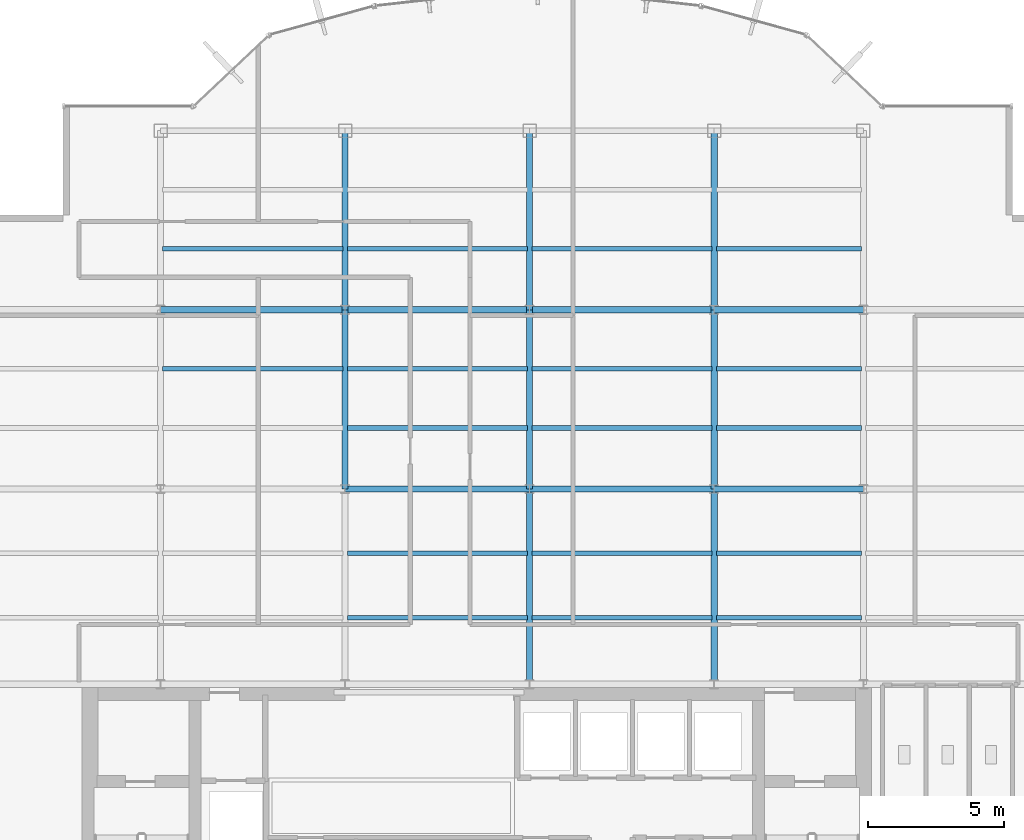
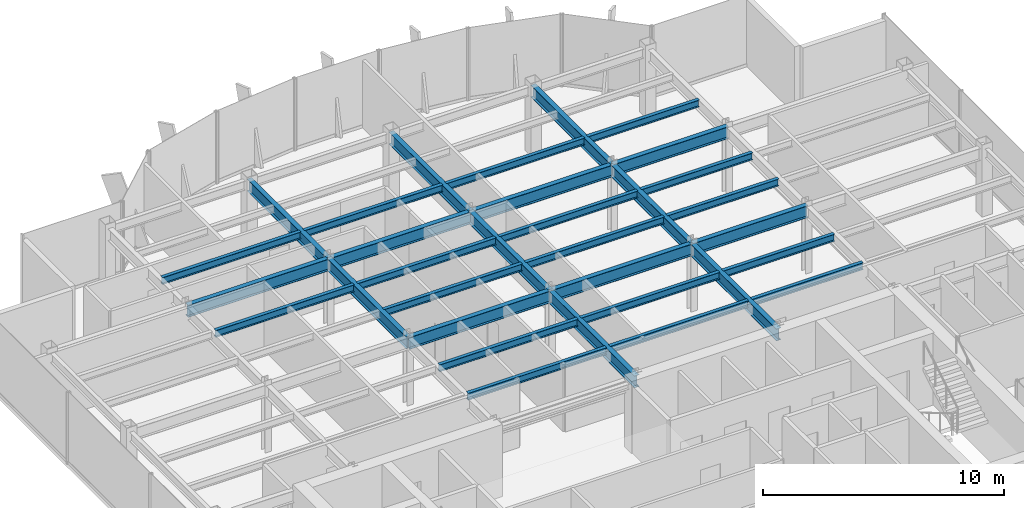
# One storey, part 8 of 22: 32 beams.
"""IFC4 building model written with IfcOpenShell, lengths in metres."""

from ifc_helpers import new_model, si_unit, derived_unit, direction, frame, origin, origin_2d, place, context, subcontext, project, spatial, i_section, extrude, source, transform, mapped, material, material_profile, profile_set, type_object, element, save


model = new_model("IFC4")

# Units and contexts
model_context = context("Model", 3, precision=1e-05, world=origin(), true_north=direction((0.0, 1.0)))
body_context = subcontext(model_context, "Body", "Model", "MODEL_VIEW")
ifc_project = project(units=[si_unit("LENGTHUNIT", "METRE"), si_unit("AREAUNIT", "SQUARE_METRE"), si_unit("VOLUMEUNIT", "CUBIC_METRE"), si_unit("PLANEANGLEUNIT", "RADIAN"), si_unit("MASSUNIT", "GRAM", prefix="KILO"), derived_unit("THERMALTRANSMITTANCEUNIT", [(si_unit("POWERUNIT", "WATT"), 1), (si_unit("LENGTHUNIT", "METRE"), -2), (si_unit("THERMODYNAMICTEMPERATUREUNIT", "KELVIN"), -1)])], contexts=[model_context])

# Site, building, storey
site_placement = place(None, origin())
site = spatial("IfcSite", under=ifc_project, at=site_placement, CompositionType="ELEMENT")
building_placement = place(site_placement, origin())
building = spatial("IfcBuilding", under=site, at=building_placement, Name="Skarnbrae Concourse Arena and Tower", CompositionType="ELEMENT")
storey_placement = place(building_placement, frame((0.0, 0.0, 192.25)))
storey = spatial("IfcBuildingStorey", under=building, at=storey_placement, Name="L49", CompositionType="ELEMENT", Elevation=192.25)

# Beams
ifc_material = material(Name="Steel CSA G40.21 350W", Category="steel")
ifc_material_profile_1 = material_profile(ifc_material, i_section(OverallWidth=0.22802734375, OverallDepth=0.60791015625, WebThickness=0.01123046875, FlangeThickness=0.017333984375, at=origin_2d()), Name="W610X113")
ifc_profile_set_1 = profile_set([ifc_material_profile_1], Name="Steel CSA G40.21 350W")
beam_type_1 = type_object("IfcBeamType", Name="BM-GIRD-W610X113", PredefinedType="BEAM", material=ifc_profile_set_1)
shared_shape_1 = source(origin(), body_context, "Body", "SweptSolid", [
    extrude(i_section(OverallWidth=0.22802734375, OverallDepth=0.60791015625, WebThickness=0.01123046875, FlangeThickness=0.017333984375, at=origin_2d()), origin(), (0.0, 0.0, 1.0), 6.60009765625),
])
for number, where, z_axis, x_axis, name in (
    (1, (14.39990234375, 21.199951171875, 3.095947265625), (0.0, 1.0, 0.0), (-1.0, 0.0, 0.0), "L49 Primary N-S girder X14.4-2"),
    (2, (21.199951171875, 21.199951171875, 3.095947265625), (0.0, 1.0, 0.0), (-1.0, 0.0, 0.0), "L49 Primary N-S girder X21.2-2"),
    (3, (28.0, 21.199951171875, 3.095947265625), (0.0, 1.0, 0.0), (-1.0, 0.0, 0.0), "L49 Primary N-S girder X28.0-2"),
):
    element("IfcBeam", number, at=place(storey_placement, frame(where, z_axis=z_axis, x_axis=x_axis)), inside=storey, type_object=beam_type_1, Name=name, PredefinedType="BEAM", context=body_context, shape_type="MappedRepresentation", body=[
        mapped(shared_shape_1, transform((0.0, 0.0, 0.0))),
    ])
shared_shape_2 = source(origin(), body_context, "Body", "SweptSolid", [
    extrude(i_section(OverallWidth=0.22802734375, OverallDepth=0.60791015625, WebThickness=0.01123046875, FlangeThickness=0.017333984375, at=origin_2d()), origin(), (0.0, 0.0, 1.0), 6.7998046875),
])
beam_placement = place(storey_placement, frame((7.60009765625, 27.800048828125, 3.095947265625), z_axis=(1.0, 0.0, 0.0), x_axis=(0.0, 1.0, 0.0)))
element("IfcBeam", 4, at=beam_placement, inside=storey, type_object=beam_type_1, Name="L49 Primary E-W girder Y27.8-2", PredefinedType="BEAM", context=body_context, shape_type="MappedRepresentation", body=[
    mapped(shared_shape_2, transform((0.0, 0.0, 0.0))),
])
shared_shape_3 = source(origin(), body_context, "Body", "SweptSolid", [
    extrude(i_section(OverallWidth=0.22802734375, OverallDepth=0.60791015625, WebThickness=0.01123046875, FlangeThickness=0.017333984375, at=origin_2d()), origin(), (0.0, 0.0, 1.0), 6.800048828125),
])
for number, where, z_axis, x_axis, name in (
    (5, (14.39990234375, 21.199951171875, 3.095947265625), (1.0, 0.0, 0.0), (0.0, 1.0, 0.0), "L49 Primary E-W girder Y21.2-3"),
    (6, (21.199951171875, 21.199951171875, 3.095947265625), (1.0, 0.0, 0.0), (0.0, 1.0, 0.0), "L49 Primary E-W girder Y21.2-4"),
    (7, (14.39990234375, 27.800048828125, 3.095947265625), (1.0, 0.0, 0.0), (0.0, 1.0, 0.0), "L49 Primary E-W girder Y27.8-3"),
    (8, (21.199951171875, 27.800048828125, 3.095947265625), (1.0, 0.0, 0.0), (0.0, 1.0, 0.0), "L49 Primary E-W girder Y27.8-4"),
):
    element("IfcBeam", number, at=place(storey_placement, frame(where, z_axis=z_axis, x_axis=x_axis)), inside=storey, type_object=beam_type_1, Name=name, PredefinedType="BEAM", context=body_context, shape_type="MappedRepresentation", body=[
        mapped(shared_shape_3, transform((0.0, 0.0, 0.0))),
    ])
shared_shape_4 = source(origin(), body_context, "Body", "SweptSolid", [
    extrude(i_section(OverallWidth=0.22802734375, OverallDepth=0.60791015625, WebThickness=0.01123046875, FlangeThickness=0.017333984375, at=origin_2d()), origin(), (0.0, 0.0, 1.0), 5.5),
])
for number, where, z_axis, x_axis, name in (
    (9, (28.0, 21.199951171875, 3.095947265625), (1.0, 0.0, 0.0), (0.0, 1.0, 0.0), "L49 Primary E-W girder Y21.2-5"),
    (10, (28.0, 27.800048828125, 3.095947265625), (1.0, 0.0, 0.0), (0.0, 1.0, 0.0), "L49 Primary E-W girder Y27.8-5"),
):
    element("IfcBeam", number, at=place(storey_placement, frame(where, z_axis=z_axis, x_axis=x_axis)), inside=storey, type_object=beam_type_1, Name=name, PredefinedType="BEAM", context=body_context, shape_type="MappedRepresentation", body=[
        mapped(shared_shape_4, transform((0.0, 0.0, 0.0))),
    ])
shared_shape_5 = source(origin(), body_context, "Body", "SweptSolid", [
    extrude(i_section(OverallWidth=0.22802734375, OverallDepth=0.60791015625, WebThickness=0.01123046875, FlangeThickness=0.017333984375, at=origin_2d()), origin(), (0.0, 0.0, 1.0), 7.199951171875),
])
for number, where, z_axis, x_axis, name in (
    (11, (21.199951171875, 14.0, 3.095947265625), (0.0, 1.0, 0.0), (-1.0, 0.0, 0.0), "L49 Primary N-S girder X21.2-1"),
    (12, (28.0, 14.0, 3.095947265625), (0.0, 1.0, 0.0), (-1.0, 0.0, 0.0), "L49 Primary N-S girder X28.0-1"),
):
    element("IfcBeam", number, at=place(storey_placement, frame(where, z_axis=z_axis, x_axis=x_axis)), inside=storey, type_object=beam_type_1, Name=name, PredefinedType="BEAM", context=body_context, shape_type="MappedRepresentation", body=[
        mapped(shared_shape_5, transform((0.0, 0.0, 0.0))),
    ])
shared_shape_6 = source(origin(), body_context, "Body", "SweptSolid", [
    extrude(i_section(OverallWidth=0.22802734375, OverallDepth=0.60791015625, WebThickness=0.01123046875, FlangeThickness=0.017333984375, at=origin_2d()), origin(), (0.0, 0.0, 1.0), 6.599853515625),
])
for number, where, z_axis, x_axis, name in (
    (13, (14.39990234375, 27.800048828125, 3.095947265625), (0.0, 1.0, 0.0), (-1.0, 0.0, 0.0), "L49 Primary N-S girder X14.4-3"),
    (14, (21.199951171875, 27.800048828125, 3.095947265625), (0.0, 1.0, 0.0), (-1.0, 0.0, 0.0), "L49 Primary N-S girder X21.2-3"),
    (15, (28.0, 27.800048828125, 3.095947265625), (0.0, 1.0, 0.0), (-1.0, 0.0, 0.0), "L49 Primary N-S girder X28.0-3"),
):
    element("IfcBeam", number, at=place(storey_placement, frame(where, z_axis=z_axis, x_axis=x_axis)), inside=storey, type_object=beam_type_1, Name=name, PredefinedType="BEAM", context=body_context, shape_type="MappedRepresentation", body=[
        mapped(shared_shape_6, transform((0.0, 0.0, 0.0))),
    ])
ifc_material_profile_2 = material_profile(ifc_material, i_section(OverallWidth=0.1708984375, OverallDepth=0.35498046875, WebThickness=0.007080078125, FlangeThickness=0.01171875, at=origin_2d()), Name="W360X51")
ifc_profile_set_2 = profile_set([ifc_material_profile_2], Name="Steel CSA G40.21 350W")
beam_type_2 = type_object("IfcBeamType", Name="BM-JOIST-W360X51", PredefinedType="JOIST", material=ifc_profile_set_2)
shared_shape_7 = source(origin(), body_context, "Body", "SweptSolid", [
    extrude(i_section(OverallWidth=0.1708984375, OverallDepth=0.35498046875, WebThickness=0.007080078125, FlangeThickness=0.01171875, at=origin_2d()), origin(), (0.0, 0.0, 1.0), 6.64013671875),
])
for number, where, z_axis, x_axis, name in (
    (16, (14.47998046875, 16.447998046875, 3.222412109375), (1.0, 0.0, 0.0), (0.0, 1.0, 0.0), "L49 Secondary floor joist 1.1.3"),
    (17, (14.47998046875, 18.823974609375, 3.222412109375), (1.0, 0.0, 0.0), (0.0, 1.0, 0.0), "L49 Secondary floor joist 1.2.3"),
    (18, (14.47998046875, 23.444091796875, 3.222412109375), (1.0, 0.0, 0.0), (0.0, 1.0, 0.0), "L49 Secondary floor joist 2.1.3"),
    (19, (7.679931640625, 25.6220703125, 3.222412109375), (1.0, 0.0, 0.0), (0.0, 1.0, 0.0), "L49 Secondary floor joist 2.2.2"),
    (20, (14.47998046875, 25.6220703125, 3.222412109375), (1.0, 0.0, 0.0), (0.0, 1.0, 0.0), "L49 Secondary floor joist 2.2.3"),
    (21, (7.679931640625, 30.0439453125, 3.222412109375), (1.0, 0.0, 0.0), (0.0, 1.0, 0.0), "L49 Secondary floor joist 3.1.1"),
    (22, (14.47998046875, 30.0439453125, 3.222412109375), (1.0, 0.0, 0.0), (0.0, 1.0, 0.0), "L49 Secondary floor joist 3.1.2"),
):
    element("IfcBeam", number, at=place(storey_placement, frame(where, z_axis=z_axis, x_axis=x_axis)), inside=storey, type_object=beam_type_2, Name=name, PredefinedType="JOIST", context=body_context, shape_type="MappedRepresentation", body=[
        mapped(shared_shape_7, transform((0.0, 0.0, 0.0))),
    ])
shared_shape_8 = source(origin(), body_context, "Body", "SweptSolid", [
    extrude(i_section(OverallWidth=0.1708984375, OverallDepth=0.35498046875, WebThickness=0.007080078125, FlangeThickness=0.01171875, at=origin_2d()), origin(), (0.0, 0.0, 1.0), 6.639892578125),
])
for number, where, z_axis, x_axis, name in (
    (23, (21.280029296875, 16.447998046875, 3.222412109375), (1.0, 0.0, 0.0), (0.0, 1.0, 0.0), "L49 Secondary floor joist 1.1.4"),
    (24, (21.280029296875, 18.823974609375, 3.222412109375), (1.0, 0.0, 0.0), (0.0, 1.0, 0.0), "L49 Secondary floor joist 1.2.4"),
    (25, (21.280029296875, 23.444091796875, 3.222412109375), (1.0, 0.0, 0.0), (0.0, 1.0, 0.0), "L49 Secondary floor joist 2.1.4"),
    (26, (21.280029296875, 25.6220703125, 3.222412109375), (1.0, 0.0, 0.0), (0.0, 1.0, 0.0), "L49 Secondary floor joist 2.2.4"),
    (27, (21.280029296875, 30.0439453125, 3.222412109375), (1.0, 0.0, 0.0), (0.0, 1.0, 0.0), "L49 Secondary floor joist 3.1.3"),
):
    element("IfcBeam", number, at=place(storey_placement, frame(where, z_axis=z_axis, x_axis=x_axis)), inside=storey, type_object=beam_type_2, Name=name, PredefinedType="JOIST", context=body_context, shape_type="MappedRepresentation", body=[
        mapped(shared_shape_8, transform((0.0, 0.0, 0.0))),
    ])
shared_shape_9 = source(origin(), body_context, "Body", "SweptSolid", [
    extrude(i_section(OverallWidth=0.1708984375, OverallDepth=0.35498046875, WebThickness=0.007080078125, FlangeThickness=0.01171875, at=origin_2d()), origin(), (0.0, 0.0, 1.0), 5.33984375),
])
for number, where, z_axis, x_axis, name in (
    (28, (28.080078125, 16.447998046875, 3.222412109375), (1.0, 0.0, 0.0), (0.0, 1.0, 0.0), "L49 Secondary floor joist 1.1.5"),
    (29, (28.080078125, 18.823974609375, 3.222412109375), (1.0, 0.0, 0.0), (0.0, 1.0, 0.0), "L49 Secondary floor joist 1.2.5"),
    (30, (28.080078125, 23.444091796875, 3.222412109375), (1.0, 0.0, 0.0), (0.0, 1.0, 0.0), "L49 Secondary floor joist 2.1.5"),
    (31, (28.080078125, 25.6220703125, 3.222412109375), (1.0, 0.0, 0.0), (0.0, 1.0, 0.0), "L49 Secondary floor joist 2.2.5"),
    (32, (28.080078125, 30.0439453125, 3.222412109375), (1.0, 0.0, 0.0), (0.0, 1.0, 0.0), "L49 Secondary floor joist 3.1.4"),
):
    element("IfcBeam", number, at=place(storey_placement, frame(where, z_axis=z_axis, x_axis=x_axis)), inside=storey, type_object=beam_type_2, Name=name, PredefinedType="JOIST", context=body_context, shape_type="MappedRepresentation", body=[
        mapped(shared_shape_9, transform((0.0, 0.0, 0.0))),
    ])

save(model, "model.ifc")
